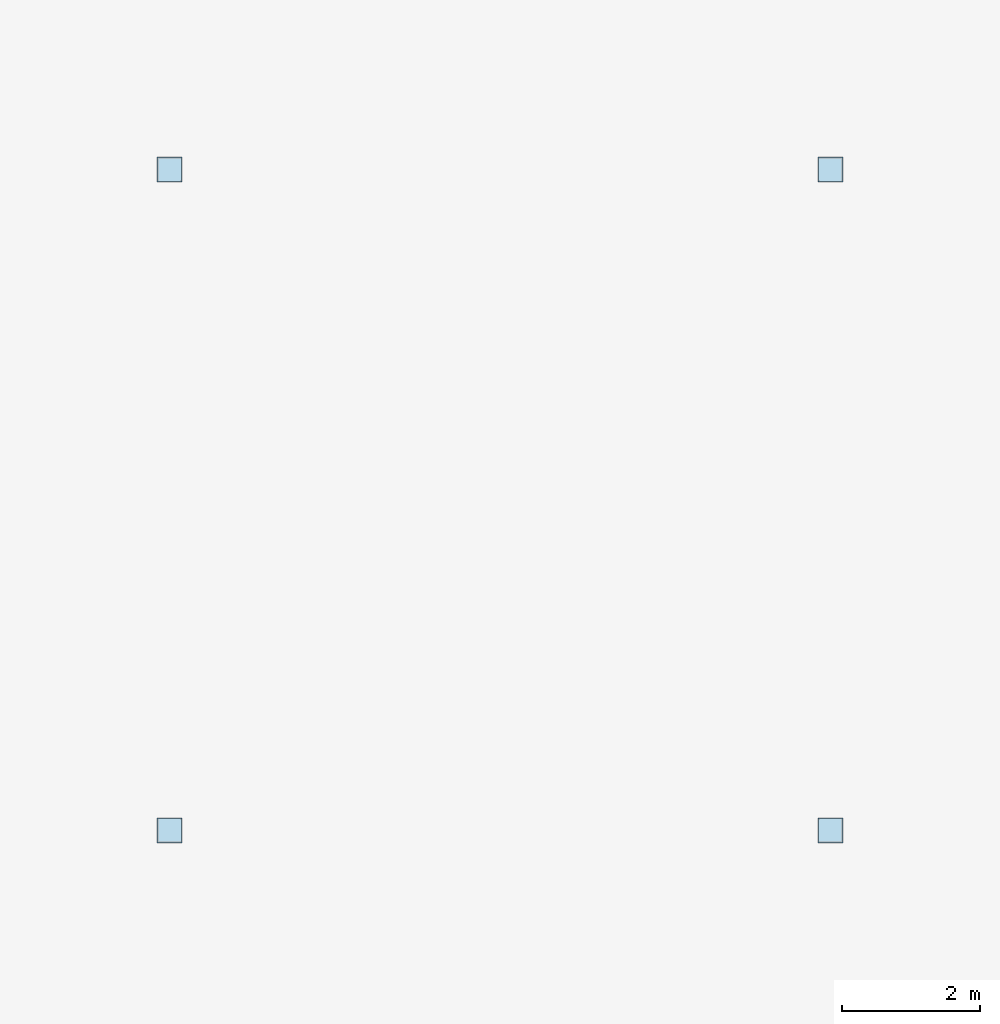
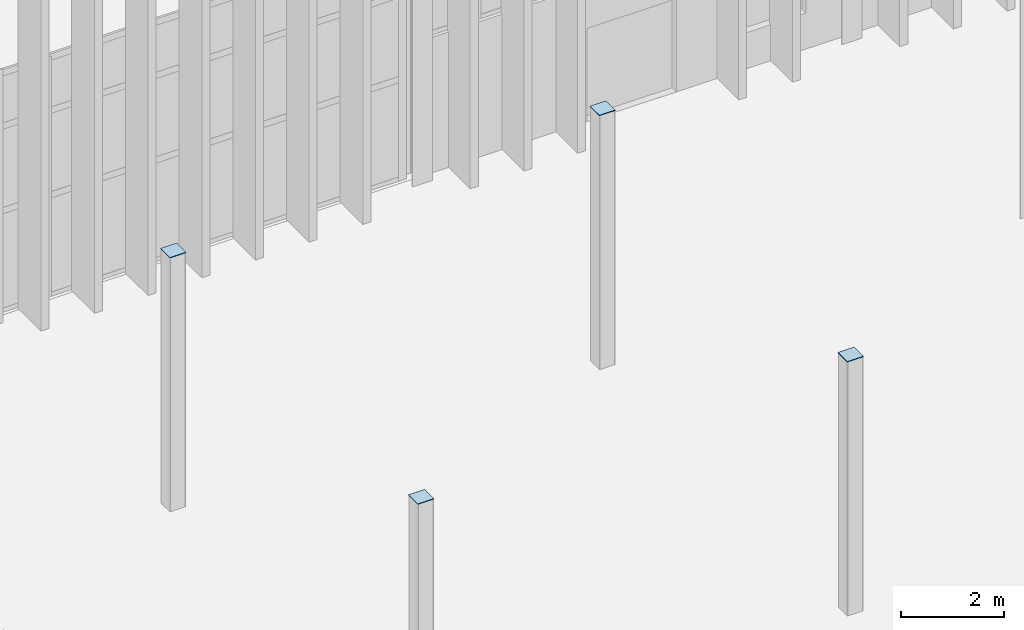
# One storey, part 90 of 139: 4 plates.
"""IFC4 building model written with IfcOpenShell, lengths in metres."""

from ifc_helpers import new_model, si_unit, direction, frame, origin, origin_2d, place, context, subcontext, project, spatial, rectangle, extrude, material, layer, layer_set, type_object, element, save


model = new_model("IFC4")

# Units and contexts
model_context = context("Model", 3, precision=1e-05, world=origin(), true_north=direction((0.0, 1.0)))
body_context = subcontext(model_context, "Body", "Model", "MODEL_VIEW")
ifc_project = project(units=[si_unit("LENGTHUNIT", "METRE"), si_unit("AREAUNIT", "SQUARE_METRE"), si_unit("VOLUMEUNIT", "CUBIC_METRE"), si_unit("PLANEANGLEUNIT", "RADIAN"), si_unit("MASSUNIT", "GRAM", prefix="KILO")], contexts=[model_context])

# Site, building, storey
site_placement = place(None, origin())
site = spatial("IfcSite", under=ifc_project, at=site_placement, CompositionType="ELEMENT")
building_placement = place(site_placement, origin())
building = spatial("IfcBuilding", under=site, at=building_placement, Name="Yeouljin Market Hall", CompositionType="ELEMENT")
storey_placement = place(building_placement, origin())
storey = spatial("IfcBuildingStorey", under=building, at=storey_placement, Name="L00", CompositionType="ELEMENT", Elevation=0.0)

# Plates
ifc_material = material(Name="Steel SM355", Category="steel")
ifc_layer = layer(ifc_material, 0.01611328125)
ifc_layer_set = layer_set([ifc_layer], Name="Steel SM355")
plate_type = type_object("IfcPlateType", Name="CapPlate_360x360x16", PredefinedType="SHEET", material=ifc_layer_set)
for number, where, z_axis, x_axis, name in (
    (1, (45.0, 19.199951171875, 6.0), (0.0, 0.0, 1.0), (1.0, 0.0, 0.0), "Hollow column top cap plate G-06-02 (L00)"),
    (2, (45.0, 28.800048828125, 6.0), (0.0, 0.0, 1.0), (1.0, 0.0, 0.0), "Hollow column top cap plate G-06-03 (L00)"),
    (3, (54.60009765625, 19.199951171875, 6.0), (0.0, 0.0, 1.0), (1.0, 0.0, 0.0), "Hollow column top cap plate G-07-02 (L00)"),
    (4, (54.60009765625, 28.800048828125, 6.0), (0.0, 0.0, 1.0), (1.0, 0.0, 0.0), "Hollow column top cap plate G-07-03 (L00)"),
):
    element("IfcPlate", number, at=place(storey_placement, frame(where, z_axis=z_axis, x_axis=x_axis)), inside=storey, type_object=plate_type, Name=name, PredefinedType="SHEET", context=body_context, shape_type="SweptSolid", body=[
        extrude(rectangle(XDim=0.360107421875, YDim=0.360107421875, at=origin_2d()), origin(), (0.0, 0.0, 1.0), 0.01611328125),
    ])

save(model, "model.ifc")
